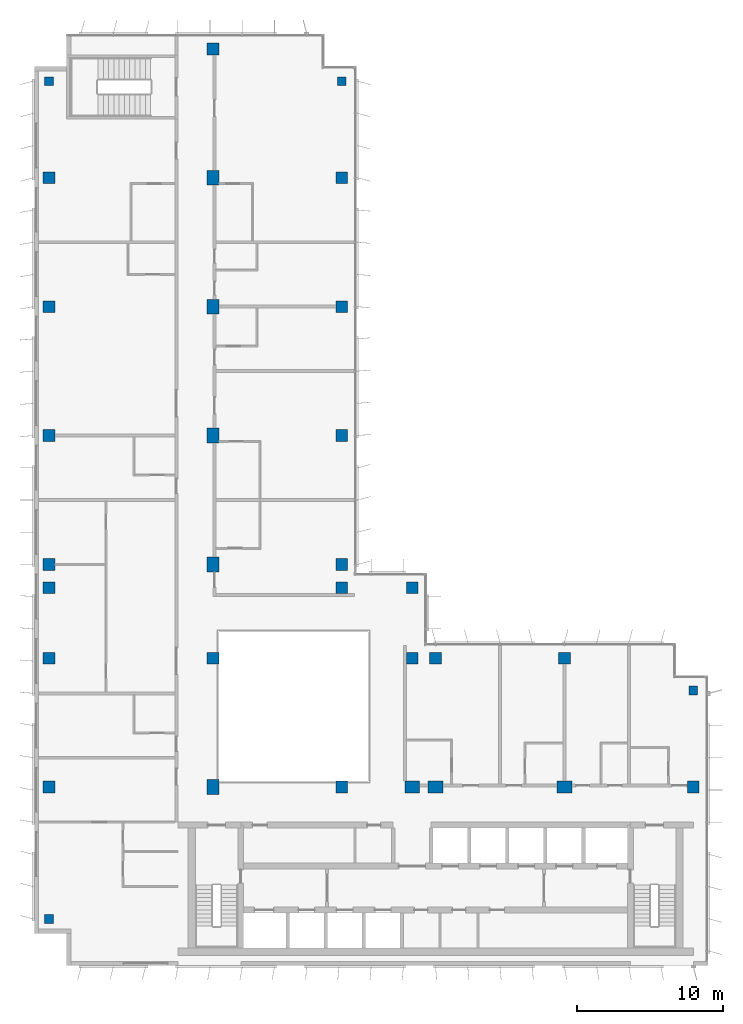
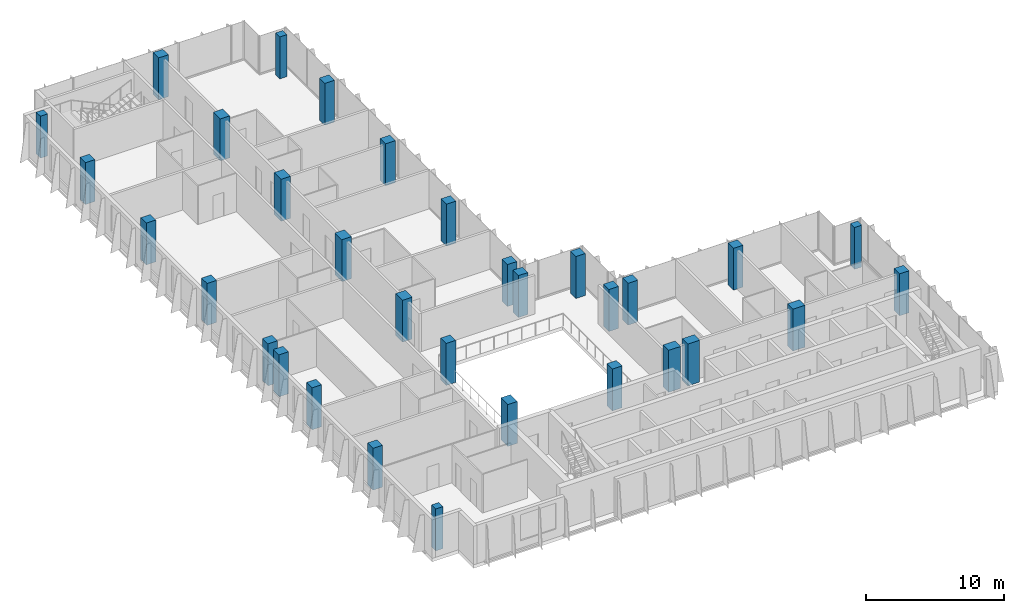
# One storey, part 1 of 15: 32 columns.
"""IFC4 building model written with IfcOpenShell, lengths in metres."""

from ifc_helpers import new_model, si_unit, direction, frame, origin, origin_2d, place, context, subcontext, project, spatial, rectangle, extrude, material, material_profile, profile_set, type_object, element, save


model = new_model("IFC4")

# Units and contexts
model_context = context("Model", 3, precision=1e-05, world=origin(), true_north=direction((0.0, 1.0)))
body_context = subcontext(model_context, "Body", "Model", "MODEL_VIEW")
ifc_project = project(units=[si_unit("LENGTHUNIT", "METRE"), si_unit("AREAUNIT", "SQUARE_METRE"), si_unit("VOLUMEUNIT", "CUBIC_METRE"), si_unit("PLANEANGLEUNIT", "RADIAN"), si_unit("MASSUNIT", "GRAM", prefix="KILO")], contexts=[model_context])

# Site, building, storey
site_placement = place(None, origin())
site = spatial("IfcSite", under=ifc_project, at=site_placement, CompositionType="ELEMENT")
building_placement = place(site_placement, origin())
building = spatial("IfcBuilding", under=site, at=building_placement, Name="Kemantara Hotel Tower", CompositionType="ELEMENT")
storey_placement = place(building_placement, frame((0.0, 0.0, 275.89990234375)))
storey = spatial("IfcBuildingStorey", under=building, at=storey_placement, Name="L69", CompositionType="ELEMENT", Elevation=275.89990234375)

# Columns
ifc_material = material(Name="Concrete fc 50 MPa", Category="concrete")
ifc_material_profile_1 = material_profile(ifc_material, rectangle(XDim=1.0, YDim=0.800048828125, at=origin_2d()), Name="RC 1000X800")
ifc_profile_set_1 = profile_set([ifc_material_profile_1], Name="Concrete fc 50 MPa")
column_type_1 = type_object("IfcColumnType", Name="RC COLUMN 1000X800 FC50", PredefinedType="COLUMN", material=ifc_profile_set_1)
for number, where, z_axis, x_axis, name in (
    (1, (12.199951171875, 12.199951171875, 0.0), (0.0, 0.0, 1.0), (0.0, 1.0, 0.0), "COLUMN 2A/BA L69"),
    (2, (12.199951171875, 27.39990234375, 0.0), (0.0, 0.0, 1.0), (0.0, 1.0, 0.0), "COLUMN 2A/D L69"),
    (3, (12.199951171875, 36.199951171875, 0.0), (0.0, 0.0, 1.0), (0.0, 1.0, 0.0), "COLUMN 2A/E L69"),
    (4, (12.199951171875, 45.0, 0.0), (0.0, 0.0, 1.0), (0.0, 1.0, 0.0), "COLUMN 2A/F L69"),
    (5, (12.199951171875, 53.800048828125, 0.0), (0.0, 0.0, 1.0), (0.0, 1.0, 0.0), "COLUMN 2A/G L69"),
    (6, (25.800048828125, 12.199951171875, 0.0), (0.0, 0.0, 1.0), (1.0, 0.0, 0.0), "COLUMN 3A/BA L69"),
    (7, (27.39990234375, 12.199951171875, 0.0), (0.0, 0.0, 1.0), (1.0, 0.0, 0.0), "COLUMN 4/BA L69"),
    (8, (36.199951171875, 12.199951171875, 0.0), (0.0, 0.0, 1.0), (1.0, 0.0, 0.0), "COLUMN 5/BA L69"),
):
    element("IfcColumn", number, at=place(storey_placement, frame(where, z_axis=z_axis, x_axis=x_axis)), inside=storey, type_object=column_type_1, Name=name, PredefinedType="COLUMN", context=body_context, shape_type="SweptSolid", body=[
        extrude(rectangle(XDim=1.0, YDim=0.800048828125, at=origin_2d()), origin(), (0.0, 0.0, 1.0), 3.7001953125),
    ])
ifc_material_profile_2 = material_profile(ifc_material, rectangle(XDim=0.60009765625, YDim=0.60009765625, at=origin_2d()), Name="RC 600X600")
ifc_profile_set_2 = profile_set([ifc_material_profile_2], Name="Concrete fc 50 MPa")
column_type_2 = type_object("IfcColumnType", Name="RC COLUMN 600X600 FC50", PredefinedType="COLUMN", material=ifc_profile_set_2)
for number, where, z_axis, x_axis, name in (
    (9, (1.0, 3.199951171875, 0.0), (0.0, 0.0, 1.0), (1.0, 0.0, 0.0), "COLUMN notch corner L69"),
    (10, (1.0, 60.39990234375, 0.0), (0.0, 0.0, 1.0), (1.0, 0.0, 0.0), "COLUMN notch corner L69"),
    (11, (21.0, 60.39990234375, 0.0), (0.0, 0.0, 1.0), (1.0, 0.0, 0.0), "COLUMN notch corner L69"),
    (12, (45.0, 18.800048828125, 0.0), (0.0, 0.0, 1.0), (1.0, 0.0, 0.0), "COLUMN notch corner L69"),
):
    element("IfcColumn", number, at=place(storey_placement, frame(where, z_axis=z_axis, x_axis=x_axis)), inside=storey, type_object=column_type_2, Name=name, PredefinedType="COLUMN", context=body_context, shape_type="SweptSolid", body=[
        extrude(rectangle(XDim=0.60009765625, YDim=0.60009765625, at=origin_2d()), origin(), (0.0, 0.0, 1.0), 3.7001953125),
    ])
ifc_material_profile_3 = material_profile(ifc_material, rectangle(XDim=0.800048828125, YDim=0.800048828125, at=origin_2d()), Name="RC 800X800")
ifc_profile_set_3 = profile_set([ifc_material_profile_3], Name="Concrete fc 50 MPa")
column_type_3 = type_object("IfcColumnType", Name="RC COLUMN 800X800 FC50", PredefinedType="COLUMN", material=ifc_profile_set_3)
for number, where, z_axis, x_axis, name in (
    (13, (1.0, 12.199951171875, 0.0), (0.0, 0.0, 1.0), (1.0, 0.0, 0.0), "COLUMN 1/BA L69"),
    (14, (1.0, 21.0, 0.0), (0.0, 0.0, 1.0), (1.0, 0.0, 0.0), "COLUMN 1/C L69"),
    (15, (1.0, 25.800048828125, 0.0), (0.0, 0.0, 1.0), (1.0, 0.0, 0.0), "COLUMN 1/CA L69"),
    (16, (1.0, 27.39990234375, 0.0), (0.0, 0.0, 1.0), (1.0, 0.0, 0.0), "COLUMN 1/D L69"),
    (17, (1.0, 36.199951171875, 0.0), (0.0, 0.0, 1.0), (1.0, 0.0, 0.0), "COLUMN 1/E L69"),
    (18, (1.0, 45.0, 0.0), (0.0, 0.0, 1.0), (1.0, 0.0, 0.0), "COLUMN 1/F L69"),
    (19, (1.0, 53.800048828125, 0.0), (0.0, 0.0, 1.0), (1.0, 0.0, 0.0), "COLUMN 1/G L69"),
    (20, (12.199951171875, 21.0, 0.0), (0.0, 0.0, 1.0), (1.0, 0.0, 0.0), "COLUMN 2A/C L69"),
    (21, (12.199951171875, 62.60009765625, 0.0), (0.0, 0.0, 1.0), (1.0, 0.0, 0.0), "COLUMN 2A/H L69"),
    (22, (21.0, 12.199951171875, 0.0), (0.0, 0.0, 1.0), (1.0, 0.0, 0.0), "COLUMN 3/BA L69"),
    (23, (21.0, 25.800048828125, 0.0), (0.0, 0.0, 1.0), (1.0, 0.0, 0.0), "COLUMN 3/CA L69"),
    (24, (21.0, 27.39990234375, 0.0), (0.0, 0.0, 1.0), (1.0, 0.0, 0.0), "COLUMN 3/D L69"),
    (25, (21.0, 36.199951171875, 0.0), (0.0, 0.0, 1.0), (1.0, 0.0, 0.0), "COLUMN 3/E L69"),
    (26, (21.0, 45.0, 0.0), (0.0, 0.0, 1.0), (1.0, 0.0, 0.0), "COLUMN 3/F L69"),
    (27, (21.0, 53.800048828125, 0.0), (0.0, 0.0, 1.0), (1.0, 0.0, 0.0), "COLUMN 3/G L69"),
    (28, (25.800048828125, 21.0, 0.0), (0.0, 0.0, 1.0), (1.0, 0.0, 0.0), "COLUMN 3A/C L69"),
    (29, (25.800048828125, 25.800048828125, 0.0), (0.0, 0.0, 1.0), (1.0, 0.0, 0.0), "COLUMN 3A/CA L69"),
    (30, (27.39990234375, 21.0, 0.0), (0.0, 0.0, 1.0), (1.0, 0.0, 0.0), "COLUMN 4/C L69"),
    (31, (36.199951171875, 21.0, 0.0), (0.0, 0.0, 1.0), (1.0, 0.0, 0.0), "COLUMN 5/C L69"),
    (32, (45.0, 12.199951171875, 0.0), (0.0, 0.0, 1.0), (1.0, 0.0, 0.0), "COLUMN 6/BA L69"),
):
    element("IfcColumn", number, at=place(storey_placement, frame(where, z_axis=z_axis, x_axis=x_axis)), inside=storey, type_object=column_type_3, Name=name, PredefinedType="COLUMN", context=body_context, shape_type="SweptSolid", body=[
        extrude(rectangle(XDim=0.800048828125, YDim=0.800048828125, at=origin_2d()), origin(), (0.0, 0.0, 1.0), 3.7001953125),
    ])

save(model, "model.ifc")
